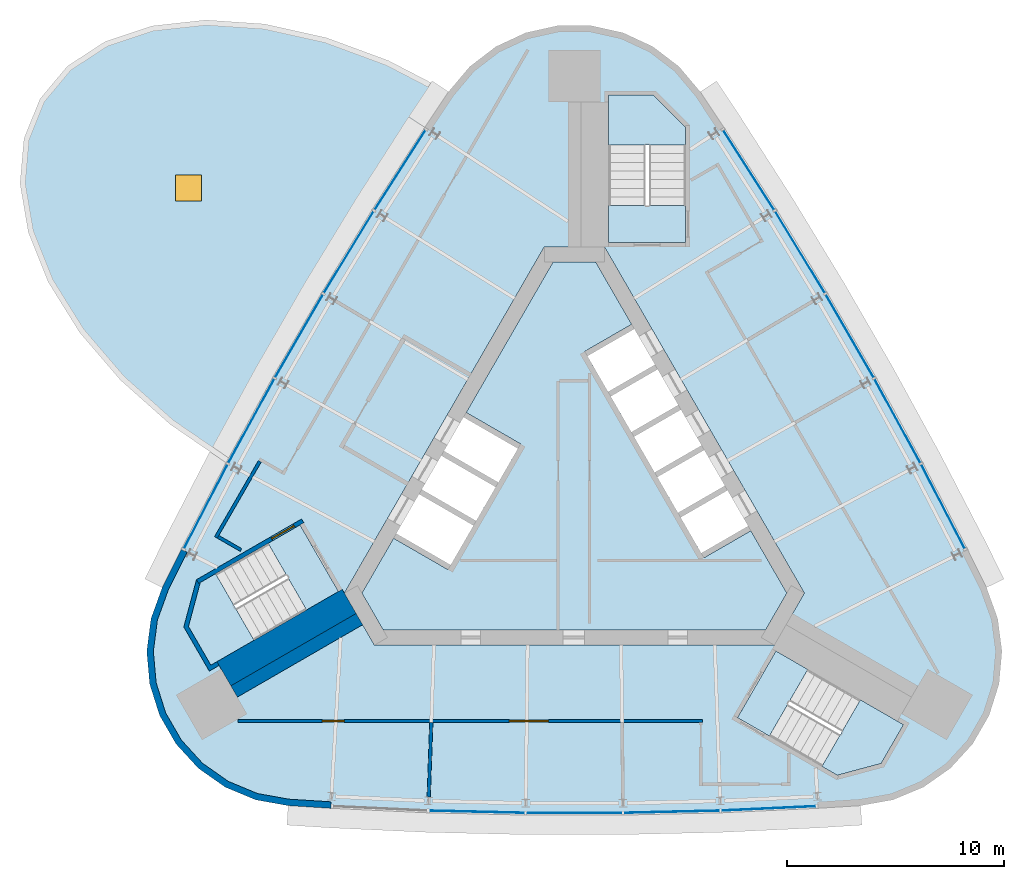
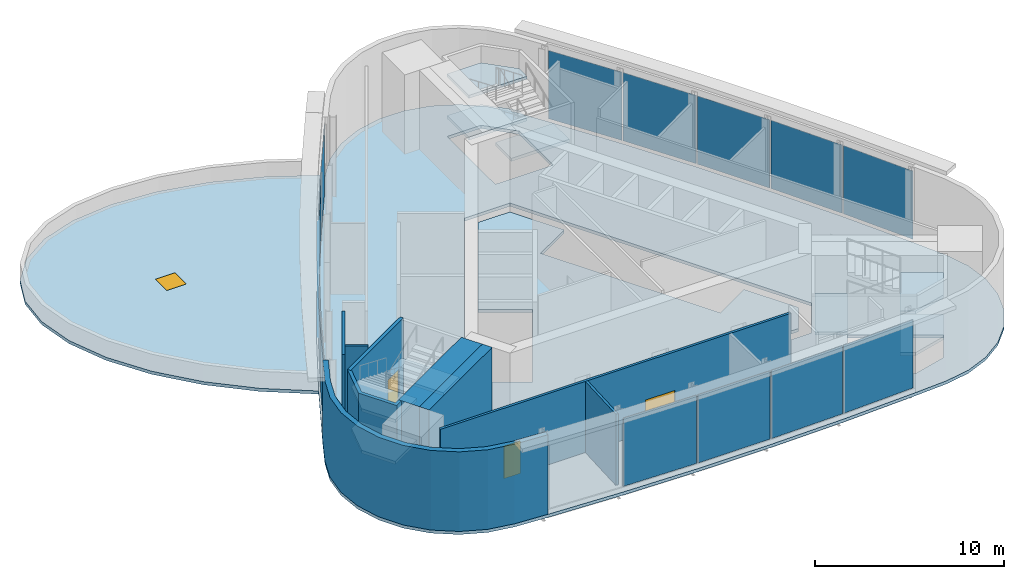
# One storey, part 3 of 8: 14 plates, 12 slabs, 9 walls, 3 doors, 1 window, 4 openings, 6 elements without a shape of their own.
"""IFC4 building model written with IfcOpenShell, lengths in metres."""

from ifc_helpers import new_model, si_unit, direction, frame, frame_2d, origin, origin_2d, place, context, subcontext, project, spatial, polyline, rectangle, outline, extrude, material, layer, layer_set, type_object, element, fill, aggregate, save


model = new_model("IFC4")

# Units and contexts
model_context = context("Model", 3, precision=1e-05, world=origin(), true_north=direction((0.0, 1.0)))
body_context = subcontext(model_context, "Body", "Model", "MODEL_VIEW")
ifc_project = project(units=[si_unit("LENGTHUNIT", "METRE"), si_unit("AREAUNIT", "SQUARE_METRE"), si_unit("VOLUMEUNIT", "CUBIC_METRE"), si_unit("PLANEANGLEUNIT", "RADIAN"), si_unit("MASSUNIT", "GRAM", prefix="KILO")], contexts=[model_context])

# Site, building, storey
site_placement = place(None, origin())
site = spatial("IfcSite", under=ifc_project, at=site_placement, CompositionType="ELEMENT")
building_placement = place(site_placement, origin())
building = spatial("IfcBuilding", under=site, at=building_placement, Name="Noor Cloister Tower", CompositionType="ELEMENT")
storey_placement = place(building_placement, frame((0.0, 0.0, 274.199951171875)))
storey = spatial("IfcBuildingStorey", under=building, at=storey_placement, Name="L70", CompositionType="ELEMENT", Elevation=274.199951171875)

# Slabs
ifc_material_1 = material(Name="Concrete C40/50", Category="concrete")
ifc_layer_1 = layer(ifc_material_1, 0.199951171875)
ifc_layer_set_1 = layer_set([ifc_layer_1], Name="Core floor slab 200 C40/50")
slab_type_1 = type_object("IfcSlabType", Name="Core floor slab 200 C40/50", PredefinedType="FLOOR", material=ifc_layer_set_1)
slab_1_placement = place(storey_placement, frame((0.0, 0.0, -0.199951171875)))
element("IfcSlab", 1, at=slab_1_placement, inside=storey, type_object=slab_type_1, Name="Core floor L70", PredefinedType="FLOOR", context=body_context, shape_type="SweptSolid", body=[
    extrude(outline(polyline([(2.643798828125, 7.877197265625), (0.9814453125, 10.75634765625), (-0.9814453125, 10.75634765625), (-4.993896484375, 3.806884765625), (-2.482421875, 2.35693359375), (-5.832275390625, -3.4453125), (-8.34375, -1.995361328125), (-9.80615234375, -4.5283203125), (-8.82470703125, -6.228271484375), (8.82470703125, -6.228271484375), (9.80615234375, -4.5283203125), (8.143798828125, -1.64892578125), (5.978759765625, -2.89892578125), (0.478759765625, 6.627197265625), (2.643798828125, 7.877197265625)])), origin(), (0.0, 0.0, 1.0), 0.199951171875),
])
ifc_material_2 = material(Name="Concrete C40/50", Category="concrete")
ifc_layer_2 = layer(ifc_material_2, 0.199951171875)
ifc_layer_set_2 = layer_set([ifc_layer_2], Name="Floor slab 200 C40/50")
slab_type_2 = type_object("IfcSlabType", Name="Floor slab 200 C40/50", PredefinedType="FLOOR", material=ifc_layer_set_2)
slab_2_placement = place(storey_placement, frame((0.0, 0.0, -0.199951171875)))
element("IfcSlab", 2, at=slab_2_placement, inside=storey, type_object=slab_type_2, Name="Floor slab L70", PredefinedType="FLOOR", context=body_context, shape_type="SweptSolid", body=[
    extrude(outline(polyline([(5.809814453125, 18.609619140625), (4.830078125, 19.771484375), (3.62255859375, 20.69482421875), (2.244140625, 21.33544921875), (0.760009765625, 21.66357421875), (-0.760009765625, 21.66357421875), (-2.244140625, 21.33544921875), (-3.62255859375, 20.69482421875), (-4.830078125, 19.771484375), (-5.809814453125, 18.609619140625), (-6.9013671875, 16.967529296875), (-9.32958984375, 13.178955078125), (-11.669189453125, 9.335205078125), (-13.919189453125, 5.438232421875), (-16.078125, 1.489990234375), (-18.14501953125, -2.507080078125), (-19.021240234375, -4.2734375), (-19.53759765625, -5.702880859375), (-19.7333984375, -7.210205078125), (-19.59912109375, -8.724365234375), (-19.14111328125, -10.173583984375), (-18.381103515625, -11.489990234375), (-17.35498046875, -12.611083984375), (-16.11083984375, -13.484619140625), (-14.707763671875, -14.068603515625), (-13.21142578125, -14.336181640625), (-11.24365234375, -14.46044921875), (-6.74853515625, -14.669189453125), (-2.25, -14.7734375), (2.25, -14.7734375), (6.74853515625, -14.669189453125), (11.24365234375, -14.46044921875), (13.21142578125, -14.336181640625), (14.707763671875, -14.068603515625), (16.11083984375, -13.484619140625), (17.35498046875, -12.611083984375), (18.381103515625, -11.489990234375), (19.14111328125, -10.173583984375), (19.59912109375, -8.724365234375), (19.7333984375, -7.210205078125), (19.53759765625, -5.702880859375), (19.021240234375, -4.2734375), (18.14501953125, -2.507080078125), (16.078125, 1.489990234375), (13.919189453125, 5.438232421875), (11.669189453125, 9.335205078125), (9.32958984375, 13.178955078125), (6.9013671875, 16.967529296875), (5.809814453125, 18.609619140625)]), holes=[polyline([(8.999755859375, -11.126220703125), (12.131591796875, -12.934326171875), (14.1572265625, -12.3916015625), (15.19091796875, -10.601318359375), (10.774658203125, -8.0517578125), (8.999755859375, -11.126220703125)]), polyline([(-17.81005859375, -6.064697265625), (-16.776611328125, -7.85498046875), (-12.3603515625, -5.305419921875), (-14.13525390625, -2.23095703125), (-16.662841796875, -3.690185546875), (-17.267333984375, -4.039306640625), (-17.81005859375, -6.064697265625)]), polyline([(-10.6142578125, -4.5283203125), (-9.228759765625, -6.92822265625), (9.228759765625, -6.92822265625), (10.6142578125, -4.5283203125), (1.3857421875, 11.456298828125), (-1.3857421875, 11.456298828125), (-10.6142578125, -4.5283203125)]), polyline([(3.65283203125, 18.456298828125), (1.585693359375, 18.456298828125), (1.585693359375, 13.35693359375), (5.135498046875, 13.35693359375), (5.135498046875, 16.9736328125), (3.65283203125, 18.456298828125)])]), origin(), (0.0, 0.0, 1.0), 0.199951171875),
])

# Curtain wall, plates
ifc_material_3 = material(Name="Aluminium 6063-T6 anodised", Category="aluminium")
curtain_wall_type = type_object("IfcCurtainWallType", Name="Full height glass wall, sky lobby and observation deck CW3", PredefinedType="NOTDEFINED", material=ifc_material_3)
curtain_wall_1_placement = place(storey_placement, origin())
curtain_wall_1 = element("IfcCurtainWall", 3, at=curtain_wall_1_placement, inside=storey, type_object=curtain_wall_type, Name="CW3 L70 NW run 1", PredefinedType="NOTDEFINED")
ifc_material_4 = material(Name="Clear laminated glass 2 x 8 mm", Category="glass")
ifc_layer_3 = layer(ifc_material_4, 0.028076171875)
ifc_layer_set_3 = layer_set([ifc_layer_3], Name="Glass panel CW3")
plate_type = type_object("IfcPlateType", Name="Glass panel CW3", PredefinedType="CURTAIN_PANEL", material=ifc_layer_set_3)
plate_1_placement = place(storey_placement, frame((-8.04443359375, 14.998779296875, 0.2900390625), z_axis=(0.0, 0.0, 1.0), x_axis=(-0.539618172839, -0.841909869013, 0.0)))
plate_1 = element("IfcPlate", 4, at=plate_1_placement, type_object=plate_type, Name="CW3 glass panel 1", PredefinedType="CURTAIN_PANEL", context=body_context, shape_type="SweptSolid", body=[
    extrude(rectangle(XDim=4.36865234375, YDim=0.028076171875, at=origin_2d()), origin(), (0.0, 0.0, 1.0), 4.419921875),
])
plate_2_placement = place(storey_placement, frame((-10.4140625, 11.205078125, 0.2900390625), z_axis=(0.0, 0.0, 1.0), x_axis=(-0.519948916797, -0.854197356541, 0.0)))
plate_2 = element("IfcPlate", 5, at=plate_2_placement, type_object=plate_type, Name="CW3 glass panel 2", PredefinedType="CURTAIN_PANEL", context=body_context, shape_type="SweptSolid", body=[
    extrude(rectangle(XDim=4.41748046875, YDim=0.028076171875, at=origin_2d()), origin(), (0.0, 0.0, 1.0), 4.419921875),
])
plate_3_placement = place(storey_placement, frame((-12.70751953125, 7.336669921875, 0.2900390625), z_axis=(0.0, 0.0, 1.0), x_axis=(-0.5, -0.866025403784, 0.0)))
plate_3 = element("IfcPlate", 6, at=plate_3_placement, type_object=plate_type, Name="CW3 glass panel 3", PredefinedType="CURTAIN_PANEL", context=body_context, shape_type="SweptSolid", body=[
    extrude(rectangle(XDim=4.41748046875, YDim=0.028076171875, at=origin_2d()), origin(), (0.0, 0.0, 1.0), 4.419921875),
])
plate_4_placement = place(storey_placement, frame((-14.910888671875, 3.416259765625, 0.2900390625), z_axis=(0.0, 0.0, 1.0), x_axis=(-0.479782152211, -0.877387648887, 0.0)))
plate_4 = element("IfcPlate", 7, at=plate_4_placement, type_object=plate_type, Name="CW3 glass panel 4", PredefinedType="CURTAIN_PANEL", context=body_context, shape_type="SweptSolid", body=[
    extrude(rectangle(XDim=4.41748046875, YDim=0.028076171875, at=origin_2d()), origin(), (0.0, 0.0, 1.0), 4.419921875),
])
plate_5_placement = place(storey_placement, frame((-17.011474609375, -0.53271484375, 0.2900390625), z_axis=(0.0, 0.0, 1.0), x_axis=(-0.459306247842, -0.888277980529, 0.0)))
plate_5 = element("IfcPlate", 8, at=plate_5_placement, type_object=plate_type, Name="CW3 glass panel 5", PredefinedType="CURTAIN_PANEL", context=body_context, shape_type="SweptSolid", body=[
    extrude(rectangle(XDim=4.36865234375, YDim=0.028076171875, at=origin_2d()), origin(), (0.0, 0.0, 1.0), 4.419921875),
])
aggregate(curtain_wall_1, [plate_1, plate_2, plate_3, plate_4, plate_5])

curtain_wall_2_placement = place(storey_placement, origin())
curtain_wall_2 = element("IfcCurtainWall", 9, at=curtain_wall_2_placement, inside=storey, type_object=curtain_wall_type, Name="CW3 L70 S run 2", PredefinedType="NOTDEFINED")
plate_6_placement = place(storey_placement, frame((-4.4970703125, -14.621337890625, 0.2900390625), z_axis=(0.0, 0.0, 1.0), x_axis=(0.999731069009, -0.023190292346, 0.0)))
plate_6 = element("IfcPlate", 10, at=plate_6_placement, type_object=plate_type, Name="CW3 glass panel 2", PredefinedType="CURTAIN_PANEL", context=body_context, shape_type="SweptSolid", body=[
    extrude(rectangle(XDim=4.41748046875, YDim=0.028076171875, at=origin_2d()), origin(), (0.0, 0.0, 1.0), 4.419921875),
])
plate_7_placement = place(storey_placement, frame((0.0, -14.673583984375, 0.2900390625), z_axis=(0.0, 0.0, 1.0), x_axis=(1.0, 0.0, 0.0)))
plate_7 = element("IfcPlate", 11, at=plate_7_placement, type_object=plate_type, Name="CW3 glass panel 3", PredefinedType="CURTAIN_PANEL", context=body_context, shape_type="SweptSolid", body=[
    extrude(rectangle(XDim=4.41748046875, YDim=0.028076171875, at=origin_2d()), origin(), (0.0, 0.0, 1.0), 4.419921875),
])
plate_8_placement = place(storey_placement, frame((4.4970703125, -14.621337890625, 0.2900390625), z_axis=(0.0, 0.0, 1.0), x_axis=(0.999731069009, 0.023190292346, 0.0)))
plate_8 = element("IfcPlate", 12, at=plate_8_placement, type_object=plate_type, Name="CW3 glass panel 4", PredefinedType="CURTAIN_PANEL", context=body_context, shape_type="SweptSolid", body=[
    extrude(rectangle(XDim=4.41748046875, YDim=0.028076171875, at=origin_2d()), origin(), (0.0, 0.0, 1.0), 4.419921875),
])
plate_9_placement = place(storey_placement, frame((8.967041015625, -14.466064453125, 0.2900390625), z_axis=(0.0, 0.0, 1.0), x_axis=(0.998924420682, 0.046368111516, 0.0)))
plate_9 = element("IfcPlate", 13, at=plate_9_placement, type_object=plate_type, Name="CW3 glass panel 5", PredefinedType="CURTAIN_PANEL", context=body_context, shape_type="SweptSolid", body=[
    extrude(rectangle(XDim=4.36865234375, YDim=0.028076171875, at=origin_2d()), origin(), (0.0, 0.0, 1.0), 4.419921875),
])
aggregate(curtain_wall_2, [plate_6, plate_7, plate_8, plate_9])

curtain_wall_3_placement = place(storey_placement, origin())
curtain_wall_3 = element("IfcCurtainWall", 14, at=curtain_wall_3_placement, inside=storey, type_object=curtain_wall_type, Name="CW3 L70 NE run 3", PredefinedType="NOTDEFINED")
plate_10_placement = place(storey_placement, frame((17.011474609375, -0.53271484375, 0.2900390625), z_axis=(0.0, 0.0, 1.0), x_axis=(-0.459306247842, 0.888277980529, 0.0)))
plate_10 = element("IfcPlate", 15, at=plate_10_placement, type_object=plate_type, Name="CW3 glass panel 1", PredefinedType="CURTAIN_PANEL", context=body_context, shape_type="SweptSolid", body=[
    extrude(rectangle(XDim=4.36865234375, YDim=0.028076171875, at=origin_2d()), origin(), (0.0, 0.0, 1.0), 4.419921875),
])
plate_11_placement = place(storey_placement, frame((14.910888671875, 3.416259765625, 0.2900390625), z_axis=(0.0, 0.0, 1.0), x_axis=(-0.479782152211, 0.877387648887, 0.0)))
plate_11 = element("IfcPlate", 16, at=plate_11_placement, type_object=plate_type, Name="CW3 glass panel 2", PredefinedType="CURTAIN_PANEL", context=body_context, shape_type="SweptSolid", body=[
    extrude(rectangle(XDim=4.41748046875, YDim=0.028076171875, at=origin_2d()), origin(), (0.0, 0.0, 1.0), 4.419921875),
])
plate_12_placement = place(storey_placement, frame((12.70751953125, 7.336669921875, 0.2900390625), z_axis=(0.0, 0.0, 1.0), x_axis=(-0.5, 0.866025403784, 0.0)))
plate_12 = element("IfcPlate", 17, at=plate_12_placement, type_object=plate_type, Name="CW3 glass panel 3", PredefinedType="CURTAIN_PANEL", context=body_context, shape_type="SweptSolid", body=[
    extrude(rectangle(XDim=4.41748046875, YDim=0.028076171875, at=origin_2d()), origin(), (0.0, 0.0, 1.0), 4.419921875),
])
plate_13_placement = place(storey_placement, frame((10.4140625, 11.205078125, 0.2900390625), z_axis=(0.0, 0.0, 1.0), x_axis=(-0.519948916797, 0.854197356541, 0.0)))
plate_13 = element("IfcPlate", 18, at=plate_13_placement, type_object=plate_type, Name="CW3 glass panel 4", PredefinedType="CURTAIN_PANEL", context=body_context, shape_type="SweptSolid", body=[
    extrude(rectangle(XDim=4.41748046875, YDim=0.028076171875, at=origin_2d()), origin(), (0.0, 0.0, 1.0), 4.419921875),
])
plate_14_placement = place(storey_placement, frame((8.04443359375, 14.998779296875, 0.2900390625), z_axis=(0.0, 0.0, 1.0), x_axis=(-0.539618172839, 0.841909869013, 0.0)))
plate_14 = element("IfcPlate", 19, at=plate_14_placement, type_object=plate_type, Name="CW3 glass panel 5", PredefinedType="CURTAIN_PANEL", context=body_context, shape_type="SweptSolid", body=[
    extrude(rectangle(XDim=4.36865234375, YDim=0.028076171875, at=origin_2d()), origin(), (0.0, 0.0, 1.0), 4.419921875),
])
aggregate(curtain_wall_3, [plate_10, plate_11, plate_12, plate_13, plate_14])

# Slab, opening, window
ifc_material_5 = material(Name="Concrete C40/50", Category="concrete")
ifc_layer_4 = layer(ifc_material_5, 0.199951171875)
ifc_layer_set_4 = layer_set([ifc_layer_4], Name="Pod roof slab 200")
slab_type_3 = type_object("IfcSlabType", Name="Pod roof slab 200", PredefinedType="ROOF", material=ifc_layer_set_4)
slab_3_placement = place(storey_placement, frame((0.0, 0.0, -0.199951171875)))
slab_3 = element("IfcSlab", 20, at=slab_3_placement, inside=storey, type_object=slab_type_3, Name="Pod roof slab 5", PredefinedType="ROOF", context=body_context, shape_type="SweptSolid", body=[
    extrude(outline(polyline([(-5.809814453125, 18.609619140625), (-8.585205078125, 20.05078125), (-11.451416015625, 21.107421875), (-14.298095703125, 21.7392578125), (-17.015869140625, 21.921875), (-19.500244140625, 21.6484375), (-21.65576171875, 20.928955078125), (-23.399658203125, 19.79150390625), (-24.6650390625, 18.27978515625), (-25.403076171875, 16.45166015625), (-25.58544921875, 14.377685546875), (-25.205078125, 12.13720703125), (-24.276611328125, 9.816650390625), (-22.8359375, 7.5048828125), (-20.938232421875, 5.291015625), (-18.65625, 3.260009765625), (-16.078125, 1.489990234375), (-13.919189453125, 5.438232421875), (-11.669189453125, 9.335205078125), (-9.32958984375, 13.178955078125), (-6.9013671875, 16.967529296875), (-5.809814453125, 18.609619140625)])), origin(), (0.0, 0.0, 1.0), 0.199951171875),
])
opening_1_placement = place(slab_3_placement, frame((-17.804443359375, 14.164794921875, 0.0)))
opening_1 = element("IfcOpeningElement", 21, at=opening_1_placement, cuts=slab_3, Name="Opening RH5", PredefinedType="OPENING", context=body_context, shape_type="SweptSolid", body=[
    extrude(rectangle(XDim=1.199951171875, YDim=1.199951171875, at=origin_2d()), origin(), (0.0, 0.0, 1.0), 0.199951171875),
])
ifc_material_6 = material(Name="Aluminium 6063-T6 anodised", Category="aluminium")
window_type = type_object("IfcWindowType", Name="Roof access hatch", PartitioningType="SINGLE_PANEL", PredefinedType="SKYLIGHT", material=ifc_material_6)
window_placement = place(opening_1_placement, frame((0.0, 0.0, 0.14990234375)))
window = element("IfcWindow", 22, at=window_placement, inside=storey, type_object=window_type, Name="Sky bar 5 roof access hatch", OverallHeight=1.199951171875, OverallWidth=1.199951171875, PartitioningType="SINGLE_PANEL", PredefinedType="SKYLIGHT", context=body_context, shape_type="SweptSolid", body=[
    extrude(rectangle(XDim=1.199951171875, YDim=1.199951171875, at=origin_2d()), origin(), (0.0, 0.0, 1.0), 0.050048828125),
])
fill(opening_1, window)

# Stair, slabs
ifc_material_7 = material(Name="Concrete C40/50", Category="concrete")
stair_type = type_object("IfcStairType", Name="Exit stair 32 risers", PredefinedType="HALF_TURN_STAIR", material=ifc_material_7)
stair_1_placement = place(storey_placement, origin())
stair_1 = element("IfcStair", 23, at=stair_1_placement, inside=storey, type_object=stair_type, Name="Exit stair ST1 L70", PredefinedType="HALF_TURN_STAIR")
ifc_material_8 = material(Name="Concrete C40/50", Category="concrete")
ifc_layer_5 = layer(ifc_material_8, 0.199951171875)
ifc_layer_set_5 = layer_set([ifc_layer_5], Name="Stair landing 200 C40/50")
slab_type_4 = type_object("IfcSlabType", Name="Stair landing 200 C40/50", PredefinedType="LANDING", material=ifc_layer_set_5)
slab_4_placement = place(storey_placement, frame((0.0, 0.0, 1.150146484375)))
slab_4 = element("IfcSlab", 24, at=slab_4_placement, type_object=slab_type_4, Name="ST1 landing 1", PredefinedType="LANDING", context=body_context, shape_type="SweptSolid", body=[
    extrude(outline(polyline([(5.135498046875, 16.15576171875), (5.135498046875, 16.9736328125), (3.65283203125, 18.456298828125), (1.585693359375, 18.456298828125), (1.585693359375, 16.15576171875), (5.135498046875, 16.15576171875)])), origin(), (0.0, 0.0, 1.0), 0.199951171875),
])
slab_5_placement = place(storey_placement, frame((0.0, 0.0, 2.5)))
slab_5 = element("IfcSlab", 25, at=slab_5_placement, type_object=slab_type_4, Name="ST1 landing 2", PredefinedType="LANDING", context=body_context, shape_type="SweptSolid", body=[
    extrude(outline(polyline([(1.585693359375, 13.35693359375), (1.585693359375, 11.656494140625), (5.135498046875, 11.656494140625), (5.135498046875, 13.35693359375), (1.585693359375, 13.35693359375)])), origin(), (0.0, 0.0, 1.0), 0.199951171875),
])
slab_6_placement = place(storey_placement, frame((0.0, 0.0, 3.85009765625)))
slab_6 = element("IfcSlab", 26, at=slab_6_placement, type_object=slab_type_4, Name="ST1 landing 3", PredefinedType="LANDING", context=body_context, shape_type="SweptSolid", body=[
    extrude(outline(polyline([(5.135498046875, 16.15576171875), (5.135498046875, 16.9736328125), (3.65283203125, 18.456298828125), (1.585693359375, 18.456298828125), (1.585693359375, 16.15576171875), (5.135498046875, 16.15576171875)])), origin(), (0.0, 0.0, 1.0), 0.199951171875),
])
aggregate(stair_1, [slab_4, slab_5, slab_6])

stair_2_placement = place(storey_placement, origin())
stair_2 = element("IfcStair", 27, at=stair_2_placement, inside=storey, type_object=stair_type, Name="Exit stair ST2 L70", PredefinedType="HALF_TURN_STAIR")
slab_7_placement = place(storey_placement, frame((0.0, 0.0, 1.150146484375)))
slab_7 = element("IfcSlab", 28, at=slab_7_placement, type_object=slab_type_4, Name="ST2 landing 1", PredefinedType="LANDING", context=body_context, shape_type="SweptSolid", body=[
    extrude(outline(polyline([(-16.55908203125, -3.63037109375), (-17.267333984375, -4.039306640625), (-17.81005859375, -6.064697265625), (-16.776611328125, -7.85498046875), (-14.7841796875, -6.70458984375), (-16.55908203125, -3.63037109375)])), origin(), (0.0, 0.0, 1.0), 0.199951171875),
])
slab_8_placement = place(storey_placement, frame((0.0, 0.0, 2.5)))
slab_8 = element("IfcSlab", 29, at=slab_8_placement, type_object=slab_type_4, Name="ST2 landing 2", PredefinedType="LANDING", context=body_context, shape_type="SweptSolid", body=[
    extrude(outline(polyline([(-12.3603515625, -5.305419921875), (-10.8876953125, -4.455078125), (-12.66259765625, -1.380615234375), (-14.13525390625, -2.23095703125), (-12.3603515625, -5.305419921875)])), origin(), (0.0, 0.0, 1.0), 0.199951171875),
])
slab_9_placement = place(storey_placement, frame((0.0, 0.0, 3.85009765625)))
slab_9 = element("IfcSlab", 30, at=slab_9_placement, type_object=slab_type_4, Name="ST2 landing 3", PredefinedType="LANDING", context=body_context, shape_type="SweptSolid", body=[
    extrude(outline(polyline([(-16.55908203125, -3.63037109375), (-17.267333984375, -4.039306640625), (-17.81005859375, -6.064697265625), (-16.776611328125, -7.85498046875), (-14.7841796875, -6.70458984375), (-16.55908203125, -3.63037109375)])), origin(), (0.0, 0.0, 1.0), 0.199951171875),
])
aggregate(stair_2, [slab_7, slab_8, slab_9])

stair_3_placement = place(storey_placement, origin())
stair_3 = element("IfcStair", 31, at=stair_3_placement, inside=storey, type_object=stair_type, Name="Exit stair ST3 L70", PredefinedType="HALF_TURN_STAIR")
slab_10_placement = place(storey_placement, frame((0.0, 0.0, 1.150146484375)))
slab_10 = element("IfcSlab", 32, at=slab_10_placement, type_object=slab_type_4, Name="ST3 landing 1", PredefinedType="LANDING", context=body_context, shape_type="SweptSolid", body=[
    extrude(outline(polyline([(11.423583984375, -12.525390625), (12.131591796875, -12.934326171875), (14.1572265625, -12.3916015625), (15.19091796875, -10.601318359375), (13.198486328125, -9.451171875), (11.423583984375, -12.525390625)])), origin(), (0.0, 0.0, 1.0), 0.199951171875),
])
slab_11_placement = place(storey_placement, frame((0.0, 0.0, 2.5)))
slab_11 = element("IfcSlab", 33, at=slab_11_placement, type_object=slab_type_4, Name="ST3 landing 2", PredefinedType="LANDING", context=body_context, shape_type="SweptSolid", body=[
    extrude(outline(polyline([(10.774658203125, -8.0517578125), (9.302001953125, -7.201416015625), (7.52685546875, -10.27587890625), (8.999755859375, -11.126220703125), (10.774658203125, -8.0517578125)])), origin(), (0.0, 0.0, 1.0), 0.199951171875),
])
slab_12_placement = place(storey_placement, frame((0.0, 0.0, 3.85009765625)))
slab_12 = element("IfcSlab", 34, at=slab_12_placement, type_object=slab_type_4, Name="ST3 landing 3", PredefinedType="LANDING", context=body_context, shape_type="SweptSolid", body=[
    extrude(outline(polyline([(11.423583984375, -12.525390625), (12.131591796875, -12.934326171875), (14.1572265625, -12.3916015625), (15.19091796875, -10.601318359375), (13.198486328125, -9.451171875), (11.423583984375, -12.525390625)])), origin(), (0.0, 0.0, 1.0), 0.199951171875),
])
aggregate(stair_3, [slab_10, slab_11, slab_12])

# Walls
ifc_material_9 = material(Name="Concrete C60/75", Category="concrete")
ifc_layer_6 = layer(ifc_material_9, 0.60009765625)
ifc_layer_set_6 = layer_set([ifc_layer_6], Name="Buttress wall 600 C60/75")
wall_type_1 = type_object("IfcWallType", Name="Buttress wall 600 C60/75", PredefinedType="SHEAR", material=ifc_layer_set_6)
wall_1_placement = place(storey_placement, frame((-9.921630859375, -5.728271484375, -0.199951171875), z_axis=(0.0, 0.0, 1.0), x_axis=(-0.866032176823, -0.499988268569, 0.0)))
element("IfcWall", 35, at=wall_1_placement, inside=storey, type_object=wall_type_1, Name="Buttress wall SW L70", PredefinedType="SHEAR", context=body_context, shape_type="SweptSolid", body=[
    extrude(rectangle(XDim=6.678466796875, YDim=0.60009765625, at=frame_2d((3.33935546875, 0.0))), origin(), (0.0, 0.0, 1.0), 5.35009765625),
])
ifc_material_10 = material(Name="Limestone", Category="masonry")
ifc_layer_7 = layer(ifc_material_10, 0.300048828125)
ifc_layer_set_7 = layer_set([ifc_layer_7], Name="Limestone cladding 300")
wall_type_2 = type_object("IfcWallType", Name="Limestone cladding 300", PredefinedType="NOTDEFINED", material=ifc_layer_set_7)
wall_2_placement = place(storey_placement, origin())
element("IfcWall", 36, at=wall_2_placement, inside=storey, type_object=wall_type_2, Name="Limestone pier cladding L70 1.1", PredefinedType="NOTDEFINED", context=body_context, shape_type="SweptSolid", body=[
    extrude(outline(polyline([(-18.14501953125, -2.507080078125), (-19.021240234375, -4.2734375), (-19.53759765625, -5.702880859375), (-19.7333984375, -7.210205078125), (-19.59912109375, -8.724365234375), (-19.14111328125, -10.173583984375), (-18.381103515625, -11.489990234375), (-17.35498046875, -12.611083984375), (-16.11083984375, -13.484619140625), (-14.707763671875, -14.068603515625), (-13.21142578125, -14.336181640625), (-11.24365234375, -14.46044921875), (-11.224853515625, -14.1611328125), (-13.175537109375, -14.037841796875), (-14.62255859375, -13.779052734375), (-15.96533203125, -13.22021484375), (-17.15576171875, -12.384521484375), (-18.1376953125, -11.3115234375), (-18.864990234375, -10.052001953125), (-19.30322265625, -8.6650390625), (-19.431640625, -7.21630859375), (-19.244384765625, -5.77392578125), (-18.744873046875, -4.391357421875), (-17.876220703125, -2.640380859375), (-18.14501953125, -2.507080078125)])), origin(), (0.0, 0.0, 1.0), 5.150146484375),
])
ifc_material_11 = material(Name="Concrete C60/75", Category="concrete")
ifc_layer_8 = layer(ifc_material_11, 1.285888671875)
ifc_layer_set_8 = layer_set([ifc_layer_8], Name="Stair enclosure wall 1286 C60/75")
wall_type_3 = type_object("IfcWallType", Name="Stair enclosure wall 1286 C60/75", PredefinedType="SHEAR", material=ifc_layer_set_8)
wall_3_placement = place(storey_placement, frame((-10.392822265625, -4.91162109375, -0.199951171875), z_axis=(0.0, 0.0, 1.0), x_axis=(-0.866025486527, -0.499999856685, 0.0)))
element("IfcWall", 37, at=wall_3_placement, inside=storey, type_object=wall_type_3, Name="Stair enclosure wall ST2 L70 riser side", PredefinedType="SHEAR", context=body_context, shape_type="SweptSolid", body=[
    extrude(rectangle(XDim=6.6787109375, YDim=1.28564453125, at=frame_2d((3.33935546875, 0.0))), origin(), (0.0, 0.0, 1.0), 5.35009765625),
])

# Wall, opening, door
ifc_material_12 = material(Name="Concrete C60/75", Category="concrete")
ifc_layer_9 = layer(ifc_material_12, 0.199951171875)
ifc_layer_set_9 = layer_set([ifc_layer_9], Name="Stair enclosure wall 200 C60/75")
wall_type_4 = type_object("IfcWallType", Name="Stair enclosure wall 200 C60/75", PredefinedType="SHEAR", material=ifc_layer_set_9)
wall_4_placement = place(storey_placement, frame((-12.539306640625, -1.194091796875, -0.199951171875), z_axis=(0.0, 0.0, 1.0), x_axis=(-0.866045472092, -0.499965239061, 0.0)))
wall_4 = element("IfcWall", 38, at=wall_4_placement, inside=storey, type_object=wall_type_4, Name="Stair enclosure wall ST2 L70 outer side", PredefinedType="SHEAR", context=body_context, shape_type="SweptSolid", body=[
    extrude(rectangle(XDim=5.60009765625, YDim=0.199951171875, at=frame_2d((2.800048828125, 0.0))), origin(), (0.0, 0.0, 1.0), 5.35009765625),
])
opening_2_placement = place(wall_4_placement, frame((0.449951171875, 0.0, 0.199951171875)))
opening_2 = element("IfcOpeningElement", 39, at=opening_2_placement, cuts=wall_4, Name="Opening L70-ST2C", PredefinedType="OPENING", context=body_context, shape_type="SweptSolid", body=[
    extrude(rectangle(XDim=1.199951171875, YDim=2.10009765625, at=frame_2d((0.60009765625, 1.050048828125))), frame((0.0, 0.10986328125, 0.0), z_axis=(0.0, -1.0, 0.0), x_axis=(1.0, 0.0, 0.0)), (0.0, 0.0, 1.0), 0.219970703125),
])
ifc_material_13 = material(Name="Steel", Category="steel")
door_type_1 = type_object("IfcDoorType", Name="Stair door 1200 x 2100 FD120", OperationType="SINGLE_SWING_LEFT", PredefinedType="DOOR", material=ifc_material_13)
door_1_placement = place(opening_2_placement, origin())
door_1 = element("IfcDoor", 40, at=door_1_placement, inside=storey, type_object=door_type_1, Name="Stair door ST2 L70", OperationType="SINGLE_SWING_LEFT", OverallHeight=2.10009765625, OverallWidth=1.199951171875, PredefinedType="DOOR", context=body_context, shape_type="SweptSolid", body=[
    extrude(rectangle(XDim=1.199951171875, YDim=2.10009765625, at=frame_2d((0.60009765625, 1.050048828125))), frame((0.0, 0.02490234375, 0.0), z_axis=(0.0, -1.0, 0.0), x_axis=(1.0, 0.0, 0.0)), (0.0, 0.0, 1.0), 0.050048828125),
])
fill(opening_2, door_1)

# Walls
ifc_material_14 = material(Name="Concrete C60/75", Category="concrete")
wall_type_5 = type_object("IfcWallType", Name="Stair far end wall C60/75", PredefinedType="SHEAR", material=ifc_material_14)
wall_5_placement = place(storey_placement, frame((0.0, 0.0, -0.199951171875)))
element("IfcWall", 41, at=wall_5_placement, inside=storey, type_object=wall_type_5, Name="Stair enclosure wall ST2 L70 far end", PredefinedType="SHEAR", context=body_context, shape_type="SweptSolid", body=[
    extrude(outline(polyline([(-17.439208984375, -3.907470703125), (-18.024658203125, -6.093017578125), (-16.849609375, -8.128173828125), (-16.398193359375, -7.867431640625), (-16.498291015625, -7.6943359375), (-16.498291015625, -7.6943359375), (-16.776611328125, -7.85498046875), (-17.81005859375, -6.064697265625), (-17.267333984375, -4.039306640625), (-17.339111328125, -4.08056640625), (-17.339111328125, -4.08056640625), (-17.339111328125, -4.08056640625), (-17.339111328125, -4.08056640625), (-17.339111328125, -4.08056640625), (-17.339111328125, -4.08056640625), (-17.339111328125, -4.08056640625), (-17.339111328125, -4.08056640625), (-17.339111328125, -4.08056640625), (-17.339111328125, -4.08056640625), (-17.339111328125, -4.08056640625), (-17.339111328125, -4.08056640625), (-17.339111328125, -4.08056640625), (-17.339111328125, -4.08056640625), (-17.339111328125, -4.08056640625), (-17.339111328125, -4.08056640625), (-17.339111328125, -4.08056640625), (-17.439208984375, -3.907470703125)])), origin(), (0.0, 0.0, 1.0), 5.35009765625),
])
ifc_material_15 = material(Name="Fire-rated gypsum board partition on steel studs, 150 mm", Category="steel")
ifc_layer_10 = layer(ifc_material_15, 0.14990234375)
ifc_layer_set_10 = layer_set([ifc_layer_10], Name="Upper floor corridor wall 150")
wall_type_6 = type_object("IfcWallType", Name="Upper floor corridor wall 150", PredefinedType="PARTITIONING", material=ifc_layer_set_10)
wall_6_placement = place(storey_placement, frame((-14.515625, 1.557861328125, 0.0), z_axis=(0.0, 0.0, 1.0), x_axis=(-0.499994954979, -0.866028316509, 0.0)))
element("IfcWall", 42, at=wall_6_placement, inside=storey, type_object=wall_type_6, Name="Upper floor corridor wall 150 L70 007", PredefinedType="PARTITIONING", context=body_context, shape_type="SweptSolid", body=[
    extrude(rectangle(XDim=4.05859375, YDim=0.14990234375, at=frame_2d((2.029296875, 0.0))), origin(), (0.0, 0.0, 1.0), 4.60205078125),
])
wall_7_placement = place(storey_placement, frame((-16.442626953125, -1.9296875, 0.0), z_axis=(0.0, 0.0, 1.0), x_axis=(0.866042269935, -0.499970785833, 0.0)))
element("IfcWall", 43, at=wall_7_placement, inside=storey, type_object=wall_type_6, Name="Upper floor corridor wall 150 L70 008", PredefinedType="PARTITIONING", context=body_context, shape_type="SweptSolid", body=[
    extrude(rectangle(XDim=1.2197265625, YDim=0.14990234375, at=frame_2d((0.60986328125, 0.0))), origin(), (0.0, 0.0, 1.0), 5.150146484375),
])

# Wall, openings, doors
wall_8_placement = place(storey_placement, frame((-15.5322265625, -10.42822265625, 0.0), z_axis=(0.0, 0.0, 1.0), x_axis=(1.0, 0.0, 0.0)))
wall_8 = element("IfcWall", 44, at=wall_8_placement, inside=storey, type_object=wall_type_6, Name="Upper floor corridor wall 150 L70 009", PredefinedType="PARTITIONING", context=body_context, shape_type="SweptSolid", body=[
    extrude(rectangle(XDim=21.438720703125, YDim=0.14990234375, at=frame_2d((10.71923828125, 0.0))), origin(), (0.0, 0.0, 1.0), 4.60205078125),
])
opening_3_placement = place(wall_8_placement, frame((3.900634765625, 0.0, 0.0)))
opening_3 = element("IfcOpeningElement", 45, at=opening_3_placement, cuts=wall_8, Name="Opening L70-004", PredefinedType="OPENING", context=body_context, shape_type="SweptSolid", body=[
    extrude(rectangle(XDim=1.0, YDim=2.10009765625, at=frame_2d((0.5, 1.050048828125))), frame((0.0, 0.0849609375, 0.0), z_axis=(0.0, -1.0, 0.0), x_axis=(1.0, 0.0, 0.0)), (0.0, 0.0, 1.0), 0.169921875),
])
opening_4_placement = place(wall_8_placement, frame((12.533203125, 0.0, 0.0)))
opening_4 = element("IfcOpeningElement", 46, at=opening_4_placement, cuts=wall_8, Name="Opening L70-005", PredefinedType="OPENING", context=body_context, shape_type="SweptSolid", body=[
    extrude(rectangle(XDim=1.800048828125, YDim=2.10009765625, at=frame_2d((0.89990234375, 1.050048828125))), frame((0.0, 0.0849609375, 0.0), z_axis=(0.0, -1.0, 0.0), x_axis=(1.0, 0.0, 0.0)), (0.0, 0.0, 1.0), 0.169921875),
])
ifc_material_16 = material(Name="Timber door leaf with steel frame", Category="steel")
door_type_2 = type_object("IfcDoorType", Name="Gallery double door 1800", OperationType="NOTDEFINED", PredefinedType="DOOR", material=ifc_material_16)
door_2_placement = place(opening_4_placement, origin())
door_2 = element("IfcDoor", 47, at=door_2_placement, inside=storey, type_object=door_type_2, Name="Gallery double door 1800 L70-005", OperationType="DOUBLE_DOOR_SINGLE_SWING", OverallHeight=2.10009765625, OverallWidth=1.800048828125, PredefinedType="DOOR", context=body_context, shape_type="SweptSolid", body=[
    extrude(rectangle(XDim=1.800048828125, YDim=2.10009765625, at=frame_2d((0.89990234375, 1.050048828125))), frame((0.0, 0.02490234375, 0.0), z_axis=(0.0, -1.0, 0.0), x_axis=(1.0, 0.0, 0.0)), (0.0, 0.0, 1.0), 0.050048828125),
])
fill(opening_4, door_2)
ifc_material_17 = material(Name="Timber door leaf with steel frame", Category="steel")
door_type_3 = type_object("IfcDoorType", Name="Staff room door 1000", OperationType="NOTDEFINED", PredefinedType="DOOR", material=ifc_material_17)
door_3_placement = place(opening_3_placement, origin())
door_3 = element("IfcDoor", 48, at=door_3_placement, inside=storey, type_object=door_type_3, Name="Staff room door 1000 L70-004", OperationType="SINGLE_SWING_LEFT", OverallHeight=2.10009765625, OverallWidth=1.0, PredefinedType="DOOR", context=body_context, shape_type="SweptSolid", body=[
    extrude(rectangle(XDim=1.0, YDim=2.10009765625, at=frame_2d((0.5, 1.050048828125))), frame((0.0, 0.02490234375, 0.0), z_axis=(0.0, -1.0, 0.0), x_axis=(1.0, 0.0, 0.0)), (0.0, 0.0, 1.0), 0.050048828125),
])
fill(opening_3, door_3)

# Wall
wall_9_placement = place(storey_placement, frame((-6.723388671875, -13.944580078125, 0.0), z_axis=(0.0, 0.0, 1.0), x_axis=(0.034767749757, 0.999395419029, 0.0)))
element("IfcWall", 49, at=wall_9_placement, inside=storey, type_object=wall_type_6, Name="Upper floor corridor wall 150 L70 010", PredefinedType="PARTITIONING", context=body_context, shape_type="SweptSolid", body=[
    extrude(rectangle(XDim=3.44091796875, YDim=0.14990234375, at=frame_2d((1.720458984375, 0.0))), origin(), (0.0, 0.0, 1.0), 4.60205078125),
])

save(model, "model.ifc")
